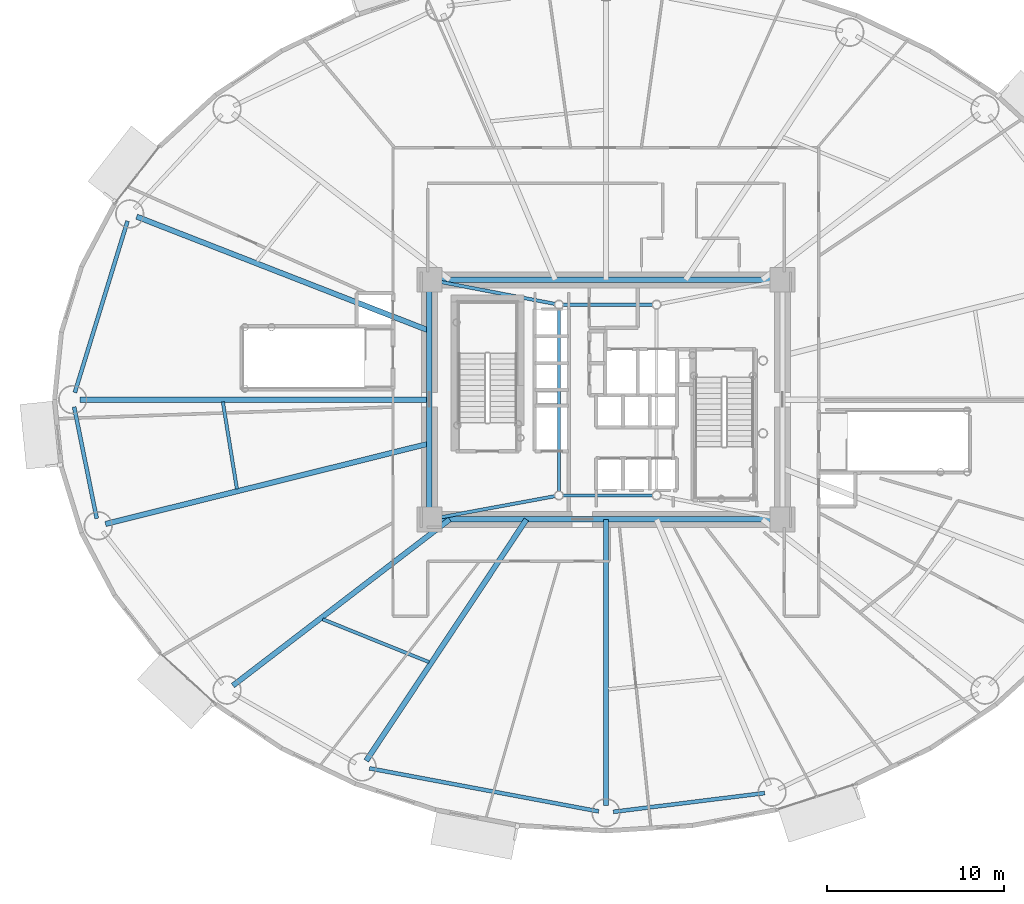
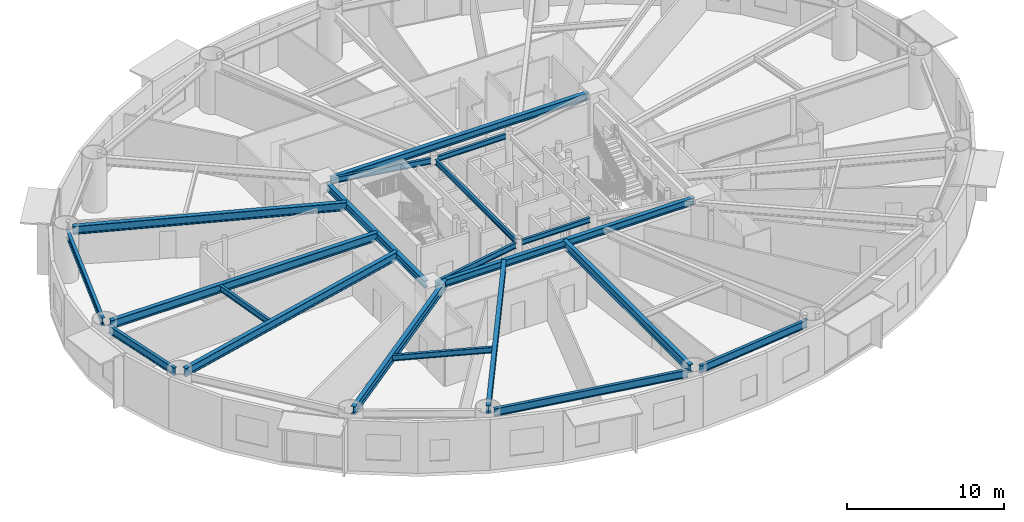
# One storey, part 6 of 28: 20 beams.
"""IFC4 building model written with IfcOpenShell, lengths in metres."""

from ifc_helpers import new_model, si_unit, direction, frame, origin, origin_2d, place, context, subcontext, project, spatial, i_section, extrude, material, material_profile, profile_set, type_object, element, save


model = new_model("IFC4")

# Units and contexts
model_context = context("Model", 3, precision=1e-05, world=origin(), true_north=direction((0.0, 1.0)))
body_context = subcontext(model_context, "Body", "Model", "MODEL_VIEW")
ifc_project = project(units=[si_unit("LENGTHUNIT", "METRE"), si_unit("AREAUNIT", "SQUARE_METRE"), si_unit("VOLUMEUNIT", "CUBIC_METRE"), si_unit("PLANEANGLEUNIT", "RADIAN"), si_unit("MASSUNIT", "GRAM", prefix="KILO")], contexts=[model_context])

# Site, building, storey
site_placement = place(None, origin())
site = spatial("IfcSite", under=ifc_project, at=site_placement, CompositionType="ELEMENT")
building_placement = place(site_placement, origin())
building = spatial("IfcBuilding", under=site, at=building_placement, Name="Linh Dai School and Residence Tower", CompositionType="ELEMENT")
storey_placement = place(building_placement, frame((0.0, 0.0, 57.60009765625)))
storey = spatial("IfcBuildingStorey", under=building, at=storey_placement, Name="L13", CompositionType="ELEMENT", Elevation=57.60009765625)

# Beams
ifc_material = material(Name="Structural Steel S355JR", Category="steel")
ifc_material_profile_1 = material_profile(ifc_material, i_section(OverallWidth=0.219970703125, OverallDepth=0.60009765625, WebThickness=0.011962890625, FlangeThickness=0.01904296875, FilletRadius=0.02392578125, at=origin_2d()), Name="IPE 600")
ifc_profile_set_1 = profile_set([ifc_material_profile_1], Name="Structural Steel S355JR")
beam_type_1 = type_object("IfcBeamType", Name="BM-RB60", PredefinedType="BEAM", material=ifc_profile_set_1)
beam_1_placement = place(storey_placement, frame((9.041259765625, 37.062255859375, 3.64990234375), z_axis=(-0.293673329015, -0.95590584046, 0.0), x_axis=(0.95590584046, -0.293673329015, 0.0)))
element("IfcBeam", 1, at=beam_1_placement, inside=storey, type_object=beam_type_1, Name="L13 Perimeter Elliptical Ring Beam 08", PredefinedType="BEAM", context=body_context, shape_type="SweptSolid", body=[
    extrude(i_section(OverallWidth=0.219970703125, OverallDepth=0.60009765625, WebThickness=0.011962890625, FlangeThickness=0.01904296875, FilletRadius=0.02392578125, at=origin_2d()), origin(), (0.0, 0.0, 1.0), 10.1064453125),
])
beam_2_placement = place(storey_placement, frame((6.033447265625, 26.58837890625, 3.64990234375), z_axis=(0.198429171022, -0.980115230005, 0.0), x_axis=(0.980115230005, 0.198429171022, 0.0)))
element("IfcBeam", 2, at=beam_2_placement, inside=storey, type_object=beam_type_1, Name="L13 Perimeter Elliptical Ring Beam 09", PredefinedType="BEAM", context=body_context, shape_type="SweptSolid", body=[
    extrude(i_section(OverallWidth=0.219970703125, OverallDepth=0.60009765625, WebThickness=0.011962890625, FlangeThickness=0.01904296875, FilletRadius=0.02392578125, at=origin_2d()), origin(), (0.0, 0.0, 1.0), 6.41259765625),
])
beam_3_placement = place(storey_placement, frame((22.67431640625, 6.223388671875, 3.64990234375), z_axis=(0.982808389171, -0.184628465236, 0.0), x_axis=(0.184628465236, 0.982808389171, 0.0)))
element("IfcBeam", 3, at=beam_3_placement, inside=storey, type_object=beam_type_1, Name="L13 Perimeter Elliptical Ring Beam 12", PredefinedType="BEAM", context=body_context, shape_type="SweptSolid", body=[
    extrude(i_section(OverallWidth=0.219970703125, OverallDepth=0.60009765625, WebThickness=0.011962890625, FlangeThickness=0.01904296875, FilletRadius=0.02392578125, at=origin_2d()), origin(), (0.0, 0.0, 1.0), 13.138671875),
])
beam_4_placement = place(storey_placement, frame((36.416748046875, 3.771728515625, 3.64990234375), z_axis=(0.99240113372, 0.123044665842, 0.0), x_axis=(-0.123044665842, 0.99240113372, 0.0)))
element("IfcBeam", 4, at=beam_4_placement, inside=storey, type_object=beam_type_1, Name="L13 Perimeter Elliptical Ring Beam 13", PredefinedType="BEAM", context=body_context, shape_type="SweptSolid", body=[
    extrude(i_section(OverallWidth=0.219970703125, OverallDepth=0.60009765625, WebThickness=0.011962890625, FlangeThickness=0.01904296875, FilletRadius=0.02392578125, at=origin_2d()), origin(), (0.0, 0.0, 1.0), 8.58935546875),
])
ifc_material_profile_2 = material_profile(ifc_material, i_section(OverallWidth=0.300048828125, OverallDepth=0.550048828125, WebThickness=0.014892578125, FlangeThickness=0.029052734375, FilletRadius=0.027099609375, at=origin_2d()), Name="HEB 550")
ifc_profile_set_2 = profile_set([ifc_material_profile_2], Name="Structural Steel S355JR")
beam_type_2 = type_object("IfcBeamType", Name="BM-RG55", PredefinedType="BEAM", material=ifc_profile_set_2)
for number, where, z_axis, x_axis, name in (
    (5, (26.469970703125, 20.25, 3.6748046875), (1.0, 0.0, 0.0), (0.0, 1.0, 0.0), "L13 Core Perimeter Coupling Girder 1"),
    (6, (45.530029296875, 33.75, 3.6748046875), (-1.0, 0.0, 0.0), (0.0, -1.0, 0.0), "L13 Core Perimeter Coupling Girder 3"),
):
    element("IfcBeam", number, at=place(storey_placement, frame(where, z_axis=z_axis, x_axis=x_axis)), inside=storey, type_object=beam_type_2, Name=name, PredefinedType="BEAM", context=body_context, shape_type="SweptSolid", body=[
        extrude(i_section(OverallWidth=0.300048828125, OverallDepth=0.550048828125, WebThickness=0.014892578125, FlangeThickness=0.029052734375, FilletRadius=0.027099609375, at=origin_2d()), origin(), (0.0, 0.0, 1.0), 19.06005859375),
    ])
beam_5_placement = place(storey_placement, frame((26.050048828125, 33.330078125, 3.6748046875), z_axis=(0.0, -1.0, 0.0), x_axis=(1.0, 0.0, 0.0)))
element("IfcBeam", 7, at=beam_5_placement, inside=storey, type_object=beam_type_2, Name="L13 Core Perimeter Coupling Girder 4", PredefinedType="BEAM", context=body_context, shape_type="SweptSolid", body=[
    extrude(i_section(OverallWidth=0.300048828125, OverallDepth=0.550048828125, WebThickness=0.014892578125, FlangeThickness=0.029052734375, FilletRadius=0.027099609375, at=origin_2d()), origin(), (0.0, 0.0, 1.0), 12.66015625),
])
ifc_material_profile_3 = material_profile(ifc_material, i_section(OverallWidth=0.300048828125, OverallDepth=0.64990234375, WebThickness=0.01611328125, FlangeThickness=0.031005859375, FilletRadius=0.027099609375, at=origin_2d()), Name="HEB 650")
ifc_profile_set_3 = profile_set([ifc_material_profile_3], Name="Structural Steel S355JR")
beam_type_3 = type_object("IfcBeamType", Name="BM-RG65", PredefinedType="BEAM", material=ifc_profile_set_3)
beam_6_placement = place(storey_placement, frame((26.050048828125, 30.879638671875, 3.625), z_axis=(-0.93167509369, 0.363292609061, 0.0), x_axis=(-0.363292609061, -0.93167509369, 0.0)))
element("IfcBeam", 8, at=beam_6_placement, inside=storey, type_object=beam_type_3, Name="L13 Primary Radial Floor Girder 08", PredefinedType="BEAM", context=body_context, shape_type="SweptSolid", body=[
    extrude(i_section(OverallWidth=0.300048828125, OverallDepth=0.64990234375, WebThickness=0.01611328125, FlangeThickness=0.031005859375, FilletRadius=0.027099609375, at=origin_2d()), origin(), (0.0, 0.0, 1.0), 17.703857421875),
])
beam_7_placement = place(storey_placement, frame((26.050048828125, 27.0, 3.625), z_axis=(-1.0, 0.0, 0.0), x_axis=(0.0, -1.0, 0.0)))
element("IfcBeam", 9, at=beam_7_placement, inside=storey, type_object=beam_type_3, Name="L13 Primary Radial Floor Girder 09", PredefinedType="BEAM", context=body_context, shape_type="SweptSolid", body=[
    extrude(i_section(OverallWidth=0.300048828125, OverallDepth=0.64990234375, WebThickness=0.01611328125, FlangeThickness=0.031005859375, FilletRadius=0.027099609375, at=origin_2d()), origin(), (0.0, 0.0, 1.0), 19.679931640625),
])
beam_8_placement = place(storey_placement, frame((26.050048828125, 24.52783203125, 3.625), z_axis=(-0.970493481328, -0.241127357843, 0.0), x_axis=(0.241127357843, -0.970493481328, 0.0)))
element("IfcBeam", 10, at=beam_8_placement, inside=storey, type_object=beam_type_3, Name="L13 Primary Radial Floor Girder 10", PredefinedType="BEAM", context=body_context, shape_type="SweptSolid", body=[
    extrude(i_section(OverallWidth=0.300048828125, OverallDepth=0.64990234375, WebThickness=0.01611328125, FlangeThickness=0.031005859375, FilletRadius=0.027099609375, at=origin_2d()), origin(), (0.0, 0.0, 1.0), 18.80810546875),
])
beam_9_placement = place(storey_placement, frame((27.195068359375, 20.25, 3.625), z_axis=(-0.793637764155, -0.608390581212, 0.0), x_axis=(0.608390581212, -0.793637764155, 0.0)))
element("IfcBeam", 11, at=beam_9_placement, inside=storey, type_object=beam_type_3, Name="L13 Primary Radial Floor Girder 11", PredefinedType="BEAM", context=body_context, shape_type="SweptSolid", body=[
    extrude(i_section(OverallWidth=0.300048828125, OverallDepth=0.64990234375, WebThickness=0.01611328125, FlangeThickness=0.031005859375, FilletRadius=0.027099609375, at=origin_2d()), origin(), (0.0, 0.0, 1.0), 15.390625),
])
beam_10_placement = place(storey_placement, frame((31.52001953125, 20.25, 3.625), z_axis=(-0.55300421354, -0.833178456158, 0.0), x_axis=(0.833178456158, -0.55300421354, 0.0)))
element("IfcBeam", 12, at=beam_10_placement, inside=storey, type_object=beam_type_3, Name="L13 Primary Radial Floor Girder 12", PredefinedType="BEAM", context=body_context, shape_type="SweptSolid", body=[
    extrude(i_section(OverallWidth=0.300048828125, OverallDepth=0.64990234375, WebThickness=0.01611328125, FlangeThickness=0.031005859375, FilletRadius=0.027099609375, at=origin_2d()), origin(), (0.0, 0.0, 1.0), 16.322021484375),
])
beam_11_placement = place(storey_placement, frame((36.0, 20.25, 3.625), z_axis=(0.0, -1.0, 0.0), x_axis=(1.0, 0.0, 0.0)))
element("IfcBeam", 13, at=beam_11_placement, inside=storey, type_object=beam_type_3, Name="L13 Primary Radial Floor Girder 13", PredefinedType="BEAM", context=body_context, shape_type="SweptSolid", body=[
    extrude(i_section(OverallWidth=0.300048828125, OverallDepth=0.64990234375, WebThickness=0.01611328125, FlangeThickness=0.031005859375, FilletRadius=0.027099609375, at=origin_2d()), origin(), (0.0, 0.0, 1.0), 16.110107421875),
])
ifc_material_profile_4 = material_profile(ifc_material, i_section(OverallWidth=0.179931640625, OverallDepth=0.39990234375, WebThickness=0.008544921875, FlangeThickness=0.013427734375, FilletRadius=0.02099609375, at=origin_2d()), Name="IPE 400")
ifc_profile_set_4 = profile_set([ifc_material_profile_4], Name="Structural Steel S355JR")
beam_type_4 = type_object("IfcBeamType", Name="BM-SB40", PredefinedType="BEAM", material=ifc_profile_set_4)
for number, where, z_axis, x_axis, name in (
    (14, (33.573974609375, 21.60009765625, 3.75), (1.0, 0.0, 0.0), (0.0, 1.0, 0.0), "L13 Core Mast Pier Tie Beam 1"),
    (15, (38.6259765625, 32.35009765625, 3.75), (-1.0, 0.0, 0.0), (0.0, -1.0, 0.0), "L13 Core Mast Pier Tie Beam 3"),
):
    element("IfcBeam", number, at=place(storey_placement, frame(where, z_axis=z_axis, x_axis=x_axis)), inside=storey, type_object=beam_type_4, Name=name, PredefinedType="BEAM", context=body_context, shape_type="SweptSolid", body=[
        extrude(i_section(OverallWidth=0.179931640625, OverallDepth=0.39990234375, WebThickness=0.008544921875, FlangeThickness=0.013427734375, FilletRadius=0.02099609375, at=origin_2d()), origin(), (0.0, 0.0, 1.0), 5.052001953125),
    ])
beam_12_placement = place(storey_placement, frame((33.35009765625, 32.1259765625, 3.75), z_axis=(0.0, -1.0, 0.0), x_axis=(1.0, 0.0, 0.0)))
element("IfcBeam", 16, at=beam_12_placement, inside=storey, type_object=beam_type_4, Name="L13 Core Mast Pier Tie Beam 4", PredefinedType="BEAM", context=body_context, shape_type="SweptSolid", body=[
    extrude(i_section(OverallWidth=0.179931640625, OverallDepth=0.39990234375, WebThickness=0.008544921875, FlangeThickness=0.013427734375, FilletRadius=0.02099609375, at=origin_2d()), origin(), (0.0, 0.0, 1.0), 10.302001953125),
])
ifc_material_profile_5 = material_profile(ifc_material, i_section(OverallWidth=0.18994140625, OverallDepth=0.449951171875, WebThickness=0.009521484375, FlangeThickness=0.0146484375, FilletRadius=0.02099609375, at=origin_2d()), Name="IPE 450")
ifc_profile_set_5 = profile_set([ifc_material_profile_5], Name="Structural Steel S355JR")
beam_type_5 = type_object("IfcBeamType", Name="BM-SB45", PredefinedType="BEAM", material=ifc_profile_set_5)
beam_13_placement = place(storey_placement, frame((26.462890625, 20.326416015625, 3.724853515625), z_axis=(0.983326152819, 0.18185070025, 0.0), x_axis=(-0.18185070025, 0.983326152819, 0.0)))
element("IfcBeam", 17, at=beam_13_placement, inside=storey, type_object=beam_type_5, Name="L13 Core Corner-to-Mast Pier Beam 1", PredefinedType="BEAM", context=body_context, shape_type="SweptSolid", body=[
    extrude(i_section(OverallWidth=0.18994140625, OverallDepth=0.449951171875, WebThickness=0.009521484375, FlangeThickness=0.0146484375, FilletRadius=0.02099609375, at=origin_2d()), origin(), (0.0, 0.0, 1.0), 6.77978515625),
])
beam_14_placement = place(storey_placement, frame((26.46240234375, 33.6708984375, 3.724853515625), z_axis=(0.982100456787, -0.188357884832, 0.0), x_axis=(0.188357884832, 0.982100456787, 0.0)))
element("IfcBeam", 18, at=beam_14_placement, inside=storey, type_object=beam_type_5, Name="L13 Core Corner-to-Mast Pier Beam 4", PredefinedType="BEAM", context=body_context, shape_type="SweptSolid", body=[
    extrude(i_section(OverallWidth=0.18994140625, OverallDepth=0.449951171875, WebThickness=0.009521484375, FlangeThickness=0.0146484375, FilletRadius=0.02099609375, at=origin_2d()), origin(), (0.0, 0.0, 1.0), 6.789306640625),
])
beam_15_placement = place(storey_placement, frame((14.412841796875, 26.87158203125, 3.724853515625), z_axis=(0.159655745546, -0.987172752316, 0.0), x_axis=(0.987172752316, 0.159655745546, 0.0)))
element("IfcBeam", 19, at=beam_15_placement, inside=storey, type_object=beam_type_5, Name="L13 Secondary Circumferential Floor Beam 05", PredefinedType="BEAM", context=body_context, shape_type="SweptSolid", body=[
    extrude(i_section(OverallWidth=0.18994140625, OverallDepth=0.449951171875, WebThickness=0.009521484375, FlangeThickness=0.0146484375, FilletRadius=0.02099609375, at=origin_2d()), origin(), (0.0, 0.0, 1.0), 4.96826171875),
])
beam_16_placement = place(storey_placement, frame((20.037841796875, 14.622314453125, 3.724853515625), z_axis=(0.927532778422, -0.3737418159, 0.0), x_axis=(0.3737418159, 0.927532778422, 0.0)))
element("IfcBeam", 20, at=beam_16_placement, inside=storey, type_object=beam_type_5, Name="L13 Secondary Circumferential Floor Beam 06", PredefinedType="BEAM", context=body_context, shape_type="SweptSolid", body=[
    extrude(i_section(OverallWidth=0.18994140625, OverallDepth=0.449951171875, WebThickness=0.009521484375, FlangeThickness=0.0146484375, FilletRadius=0.02099609375, at=origin_2d()), origin(), (0.0, 0.0, 1.0), 6.459716796875),
])

save(model, "model.ifc")
